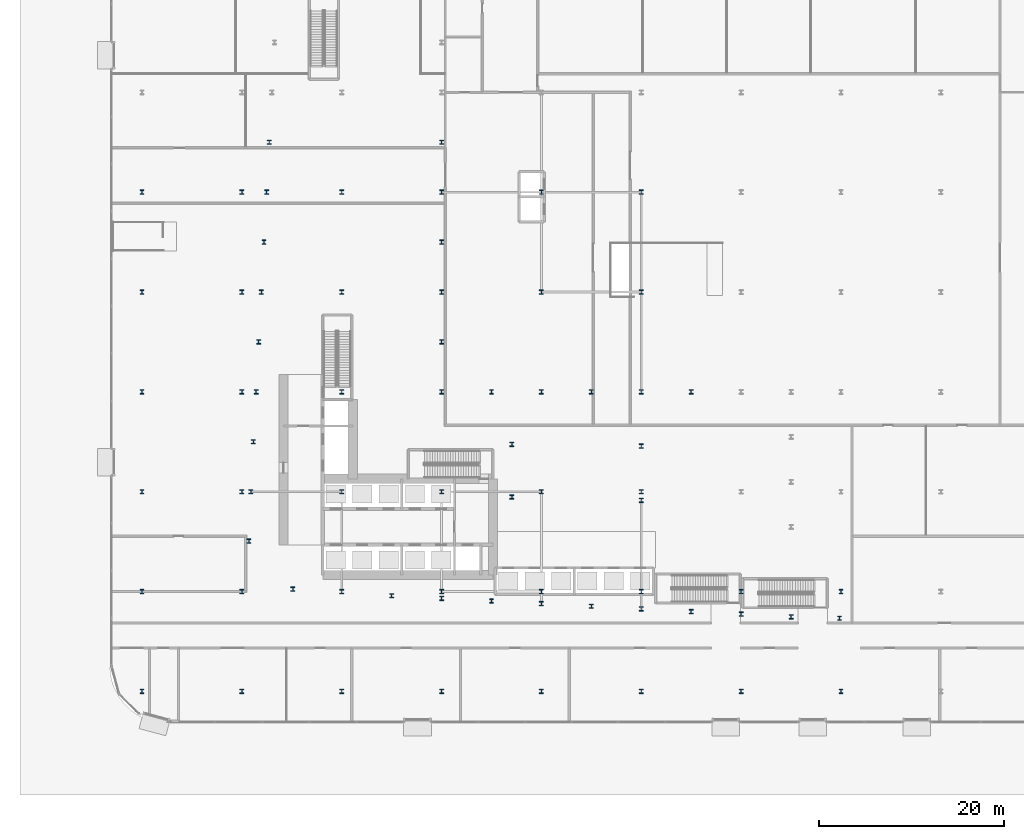
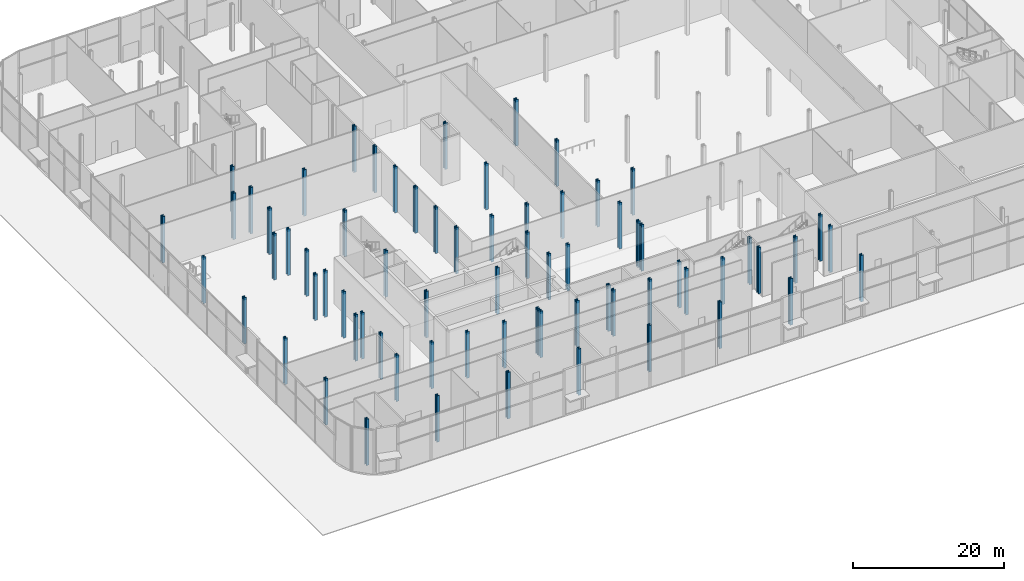
# One storey, part 1 of 46: 70 columns.
"""IFC4 building model written with IfcOpenShell, lengths in metres."""

from ifc_helpers import new_model, si_unit, direction, frame, origin, origin_2d, place, context, subcontext, project, spatial, i_section, extrude, material, material_profile, profile_set, type_object, element, save


model = new_model("IFC4")

# Units and contexts
model_context = context("Model", 3, precision=1e-05, world=origin(), true_north=direction((0.0, 1.0)))
body_context = subcontext(model_context, "Body", "Model", "MODEL_VIEW")
ifc_project = project(units=[si_unit("LENGTHUNIT", "METRE"), si_unit("AREAUNIT", "SQUARE_METRE"), si_unit("VOLUMEUNIT", "CUBIC_METRE"), si_unit("PLANEANGLEUNIT", "RADIAN"), si_unit("MASSUNIT", "GRAM", prefix="KILO")], contexts=[model_context])

# Site, building, storey
site_placement = place(None, origin())
site = spatial("IfcSite", under=ifc_project, at=site_placement, CompositionType="ELEMENT")
building_placement = place(site_placement, origin())
building = spatial("IfcBuilding", under=site, at=building_placement, Name="Kheshtan School and Residences Tower", CompositionType="ELEMENT")
storey_placement = place(building_placement, origin())
storey = spatial("IfcBuildingStorey", under=building, at=storey_placement, Name="L00", CompositionType="ELEMENT", Elevation=0.0)

# Columns
ifc_material = material(Name="Steel ASTM A992 Grade 50", Category="steel")
ifc_material_profile = material_profile(ifc_material, i_section(OverallWidth=0.424072265625, OverallDepth=0.47412109375, WebThickness=0.047607421875, FlangeThickness=0.0771484375, FilletRadius=0.01416015625, at=origin_2d()), Name="W360x634")
ifc_profile_set = profile_set([ifc_material_profile], Name="Steel ASTM A992 Grade 50")
column_type = type_object("IfcColumnType", Name="Column PC1 W360x634 ASTM A992 Grade 50", PredefinedType="COLUMN", material=ifc_profile_set)
for number, where, z_axis, x_axis, name in (
    (1, (15.199951171875, 13.199951171875, 0.0), (0.0, 0.0, 1.0), (1.0, 0.0, 0.0), "Column P-001"),
    (2, (26.0, 13.199951171875, 0.0), (0.0, 0.0, 1.0), (1.0, 0.0, 0.0), "Column P-002"),
    (3, (36.800048828125, 13.199951171875, 0.0), (0.0, 0.0, 1.0), (1.0, 0.0, 0.0), "Column P-003"),
    (4, (47.60009765625, 13.199951171875, 0.0), (0.0, 0.0, 1.0), (1.0, 0.0, 0.0), "Column P-004"),
    (5, (58.39990234375, 13.199951171875, 0.0), (0.0, 0.0, 1.0), (1.0, 0.0, 0.0), "Column P-005"),
    (6, (69.199951171875, 13.199951171875, 0.0), (0.0, 0.0, 1.0), (1.0, 0.0, 0.0), "Column P-006"),
    (7, (80.0, 13.199951171875, 0.0), (0.0, 0.0, 1.0), (1.0, 0.0, 0.0), "Column P-007"),
    (8, (90.800048828125, 13.199951171875, 0.0), (0.0, 0.0, 1.0), (1.0, 0.0, 0.0), "Column P-008"),
    (9, (15.199951171875, 24.0, 0.0), (0.0, 0.0, 1.0), (1.0, 0.0, 0.0), "Column P-013"),
    (10, (26.0, 24.0, 0.0), (0.0, 0.0, 1.0), (1.0, 0.0, 0.0), "Column P-014"),
    (11, (36.800048828125, 24.0, 0.0), (0.0, 0.0, 1.0), (1.0, 0.0, 0.0), "Column P-015"),
    (12, (47.60009765625, 24.0, 0.0), (0.0, 0.0, 1.0), (1.0, 0.0, 0.0), "Column P-016"),
    (13, (58.39990234375, 24.0, 0.0), (0.0, 0.0, 1.0), (1.0, 0.0, 0.0), "Column P-017"),
    (14, (69.199951171875, 24.0, 0.0), (0.0, 0.0, 1.0), (1.0, 0.0, 0.0), "Column P-018"),
    (15, (80.0, 24.0, 0.0), (0.0, 0.0, 1.0), (1.0, 0.0, 0.0), "Column P-019"),
    (16, (90.800048828125, 24.0, 0.0), (0.0, 0.0, 1.0), (1.0, 0.0, 0.0), "Column P-020"),
    (17, (15.199951171875, 34.800048828125, 0.0), (0.0, 0.0, 1.0), (1.0, 0.0, 0.0), "Column P-025"),
    (18, (26.0, 34.800048828125, 0.0), (0.0, 0.0, 1.0), (1.0, 0.0, 0.0), "Column P-026"),
    (19, (36.800048828125, 34.800048828125, 0.0), (0.0, 0.0, 1.0), (1.0, 0.0, 0.0), "Column P-027"),
    (20, (47.60009765625, 34.800048828125, 0.0), (0.0, 0.0, 1.0), (1.0, 0.0, 0.0), "Column P-028"),
    (21, (58.39990234375, 34.800048828125, 0.0), (0.0, 0.0, 1.0), (1.0, 0.0, 0.0), "Column P-029"),
    (22, (69.199951171875, 34.800048828125, 0.0), (0.0, 0.0, 1.0), (1.0, 0.0, 0.0), "Column P-030"),
    (23, (15.199951171875, 45.60009765625, 0.0), (0.0, 0.0, 1.0), (1.0, 0.0, 0.0), "Column P-037"),
    (24, (26.0, 45.60009765625, 0.0), (0.0, 0.0, 1.0), (1.0, 0.0, 0.0), "Column P-038"),
    (25, (36.800048828125, 45.60009765625, 0.0), (0.0, 0.0, 1.0), (1.0, 0.0, 0.0), "Column P-039"),
    (26, (47.60009765625, 45.60009765625, 0.0), (0.0, 0.0, 1.0), (1.0, 0.0, 0.0), "Column P-040"),
    (27, (58.39990234375, 45.60009765625, 0.0), (0.0, 0.0, 1.0), (1.0, 0.0, 0.0), "Column P-041"),
    (28, (69.199951171875, 45.60009765625, 0.0), (0.0, 0.0, 1.0), (1.0, 0.0, 0.0), "Column P-042"),
    (29, (15.199951171875, 56.39990234375, 0.0), (0.0, 0.0, 1.0), (1.0, 0.0, 0.0), "Column P-049"),
    (30, (26.0, 56.39990234375, 0.0), (0.0, 0.0, 1.0), (1.0, 0.0, 0.0), "Column P-050"),
    (31, (36.800048828125, 56.39990234375, 0.0), (0.0, 0.0, 1.0), (1.0, 0.0, 0.0), "Column P-051"),
    (32, (47.60009765625, 56.39990234375, 0.0), (0.0, 0.0, 1.0), (1.0, 0.0, 0.0), "Column P-052"),
    (33, (58.39990234375, 56.39990234375, 0.0), (0.0, 0.0, 1.0), (1.0, 0.0, 0.0), "Column P-053"),
    (34, (69.199951171875, 56.39990234375, 0.0), (0.0, 0.0, 1.0), (1.0, 0.0, 0.0), "Column P-054"),
    (35, (15.199951171875, 67.199951171875, 0.0), (0.0, 0.0, 1.0), (1.0, 0.0, 0.0), "Column P-061"),
    (36, (26.0, 67.199951171875, 0.0), (0.0, 0.0, 1.0), (1.0, 0.0, 0.0), "Column P-062"),
    (37, (36.800048828125, 67.199951171875, 0.0), (0.0, 0.0, 1.0), (1.0, 0.0, 0.0), "Column P-063"),
    (38, (47.60009765625, 67.199951171875, 0.0), (0.0, 0.0, 1.0), (1.0, 0.0, 0.0), "Column P-064"),
    (39, (58.39990234375, 67.199951171875, 0.0), (0.0, 0.0, 1.0), (1.0, 0.0, 0.0), "Column P-065"),
    (40, (69.199951171875, 67.199951171875, 0.0), (0.0, 0.0, 1.0), (1.0, 0.0, 0.0), "Column P-066"),
    (41, (90.639892578125, 21.110107421875, 0.0), (0.0, 0.0, 1.0), (1.0, 0.0, 0.0), "Transfer column X01"),
    (42, (85.39990234375, 21.27001953125, 0.0), (0.0, 0.0, 1.0), (1.0, 0.0, 0.0), "Transfer column X02"),
    (43, (80.0, 21.56005859375, 0.0), (0.0, 0.0, 1.0), (1.0, 0.0, 0.0), "Transfer column X03"),
    (44, (74.60009765625, 21.840087890625, 0.0), (0.0, 0.0, 1.0), (1.0, 0.0, 0.0), "Transfer column X04"),
    (45, (69.199951171875, 22.1298828125, 0.0), (0.0, 0.0, 1.0), (1.0, 0.0, 0.0), "Transfer column X05"),
    (46, (63.800048828125, 22.409912109375, 0.0), (0.0, 0.0, 1.0), (1.0, 0.0, 0.0), "Transfer column X06"),
    (47, (58.39990234375, 22.699951171875, 0.0), (0.0, 0.0, 1.0), (1.0, 0.0, 0.0), "Transfer column X07"),
    (48, (53.0, 22.97998046875, 0.0), (0.0, 0.0, 1.0), (1.0, 0.0, 0.0), "Transfer column X08"),
    (49, (47.60009765625, 23.260009765625, 0.0), (0.0, 0.0, 1.0), (1.0, 0.0, 0.0), "Transfer column X09"),
    (50, (42.199951171875, 23.550048828125, 0.0), (0.0, 0.0, 1.0), (1.0, 0.0, 0.0), "Transfer column X10"),
    (51, (31.52001953125, 24.27001953125, 0.0), (0.0, 0.0, 1.0), (1.0, 0.0, 0.0), "Transfer column X11"),
    (52, (26.760009765625, 29.4599609375, 0.0), (0.0, 0.0, 1.0), (1.0, 0.0, 0.0), "Transfer column X12"),
    (53, (26.969970703125, 34.800048828125, 0.0), (0.0, 0.0, 1.0), (1.0, 0.0, 0.0), "Transfer column X13"),
    (54, (27.25, 40.199951171875, 0.0), (0.0, 0.0, 1.0), (1.0, 0.0, 0.0), "Transfer column X14"),
    (55, (27.5400390625, 45.60009765625, 0.0), (0.0, 0.0, 1.0), (1.0, 0.0, 0.0), "Transfer column X15"),
    (56, (53.0, 45.60009765625, 0.0), (0.0, 0.0, 1.0), (1.0, 0.0, 0.0), "Transfer column X16"),
    (57, (63.800048828125, 45.60009765625, 0.0), (0.0, 0.0, 1.0), (1.0, 0.0, 0.0), "Transfer column X17"),
    (58, (74.60009765625, 45.60009765625, 0.0), (0.0, 0.0, 1.0), (1.0, 0.0, 0.0), "Transfer column X18"),
    (59, (27.820068359375, 51.0, 0.0), (0.0, 0.0, 1.0), (1.0, 0.0, 0.0), "Transfer column X20"),
    (60, (47.60009765625, 51.0, 0.0), (0.0, 0.0, 1.0), (1.0, 0.0, 0.0), "Transfer column X21"),
    (61, (28.110107421875, 56.39990234375, 0.0), (0.0, 0.0, 1.0), (1.0, 0.0, 0.0), "Transfer column X22"),
    (62, (28.389892578125, 61.800048828125, 0.0), (0.0, 0.0, 1.0), (1.0, 0.0, 0.0), "Transfer column X23"),
    (63, (47.60009765625, 61.800048828125, 0.0), (0.0, 0.0, 1.0), (1.0, 0.0, 0.0), "Transfer column X24"),
    (64, (28.669921875, 67.199951171875, 0.0), (0.0, 0.0, 1.0), (1.0, 0.0, 0.0), "Transfer column X25"),
    (65, (28.9599609375, 72.60009765625, 0.0), (0.0, 0.0, 1.0), (1.0, 0.0, 0.0), "Transfer column X26"),
    (66, (47.60009765625, 72.60009765625, 0.0), (0.0, 0.0, 1.0), (1.0, 0.0, 0.0), "Transfer column X27"),
    (67, (69.199951171875, 33.860107421875, 0.0), (0.0, 0.0, 1.0), (1.0, 0.0, 0.0), "Transfer column X36"),
    (68, (55.199951171875, 34.22998046875, 0.0), (0.0, 0.0, 1.0), (1.0, 0.0, 0.0), "Transfer column X37"),
    (69, (69.199951171875, 39.72998046875, 0.0), (0.0, 0.0, 1.0), (1.0, 0.0, 0.0), "Transfer column X39"),
    (70, (55.199951171875, 39.919921875, 0.0), (0.0, 0.0, 1.0), (1.0, 0.0, 0.0), "Transfer column X40"),
):
    element("IfcColumn", number, at=place(storey_placement, frame(where, z_axis=z_axis, x_axis=x_axis)), inside=storey, type_object=column_type, Name=name, PredefinedType="COLUMN", context=body_context, shape_type="SweptSolid", body=[
        extrude(i_section(OverallWidth=0.424072265625, OverallDepth=0.47412109375, WebThickness=0.047607421875, FlangeThickness=0.0771484375, FilletRadius=0.01416015625, at=origin_2d()), origin(), (0.0, 0.0, 1.0), 7.5),
    ])

save(model, "model.ifc")
